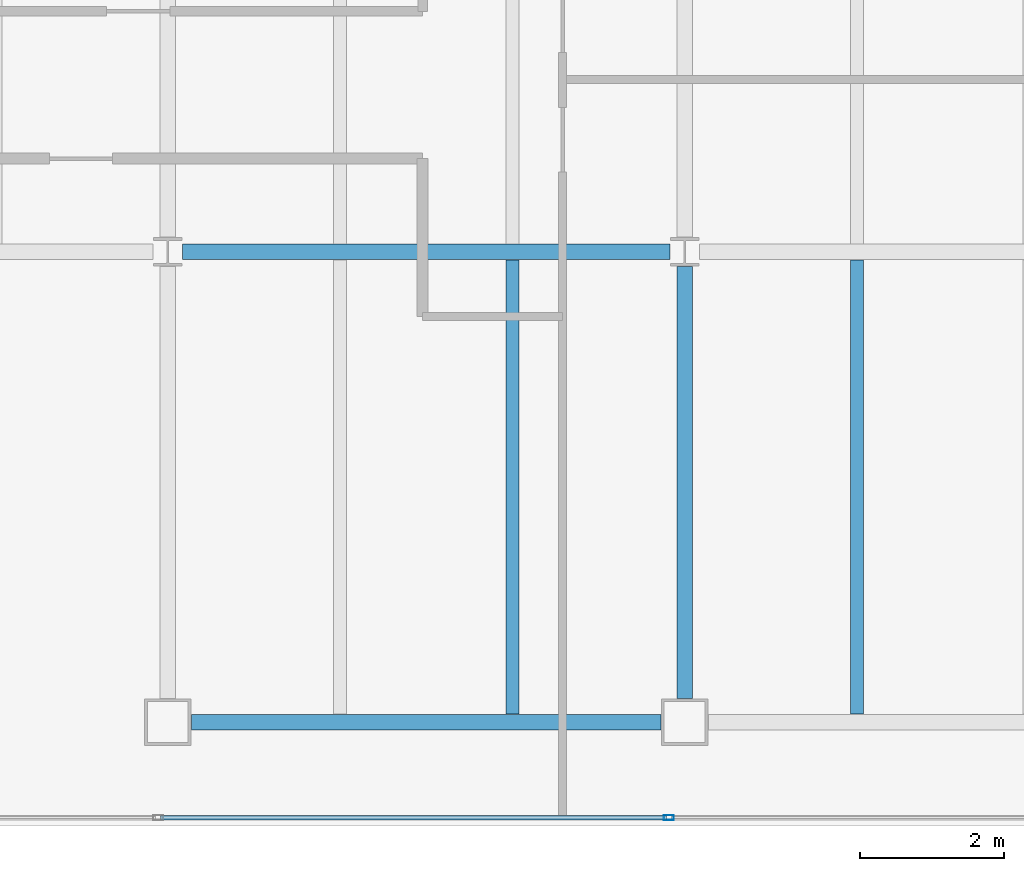
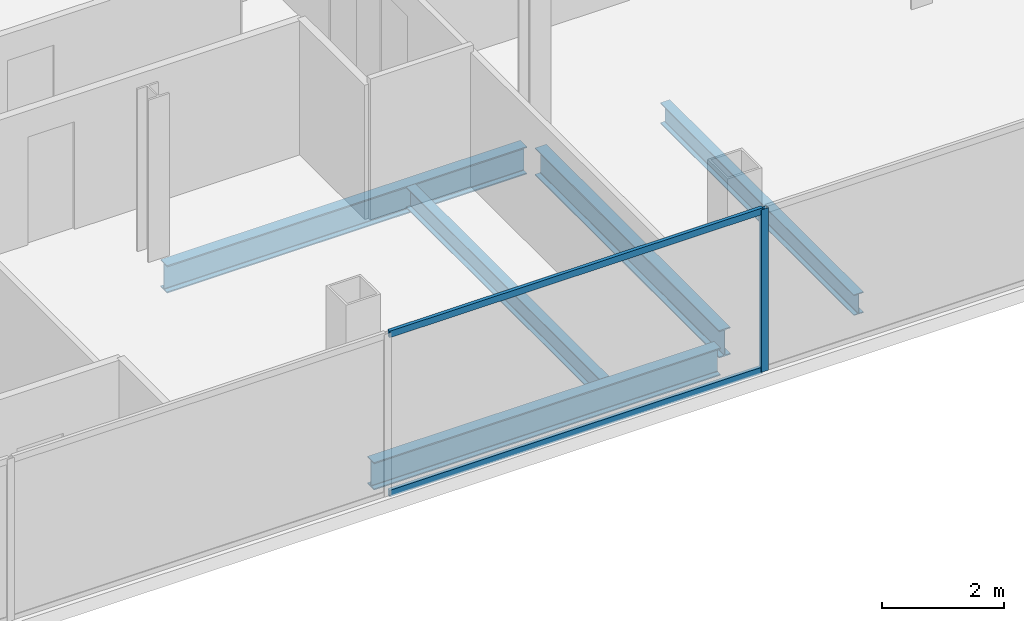
# One storey, part 6 of 23: 5 beams, 3 members, 1 element without a shape of its own.
"""IFC4 building model written with IfcOpenShell, lengths in metres."""

from ifc_helpers import new_model, si_unit, direction, frame, origin, origin_2d, place, context, subcontext, project, spatial, hollow_rectangle, i_section, extrude, material, material_profile, profile_set, type_object, element, aggregate, save


model = new_model("IFC4")

# Units and contexts
model_context = context("Model", 3, precision=1e-05, world=origin(), true_north=direction((0.0, 1.0)))
body_context = subcontext(model_context, "Body", "Model", "MODEL_VIEW")
ifc_project = project(units=[si_unit("LENGTHUNIT", "METRE"), si_unit("AREAUNIT", "SQUARE_METRE"), si_unit("VOLUMEUNIT", "CUBIC_METRE"), si_unit("PLANEANGLEUNIT", "RADIAN"), si_unit("MASSUNIT", "GRAM", prefix="KILO")], contexts=[model_context])

# Site, building, storey
site_placement = place(None, origin())
site = spatial("IfcSite", under=ifc_project, at=site_placement, CompositionType="ELEMENT")
building_placement = place(site_placement, origin())
building = spatial("IfcBuilding", under=site, at=building_placement, Name="Cobrela Telecom Tower", CompositionType="ELEMENT")
storey_placement = place(building_placement, frame((0.0, 0.0, 283.14990234375)))
storey = spatial("IfcBuildingStorey", under=building, at=storey_placement, Name="L74", CompositionType="ELEMENT", Elevation=283.14990234375)

# Beams
ifc_material_1 = material(Name="Steel ASTM A992 Grade 50", Category="steel")
ifc_material_profile_1 = material_profile(ifc_material_1, i_section(OverallWidth=0.212890625, OverallDepth=0.549072265625, WebThickness=0.0146484375, FlangeThickness=0.023681640625, FilletRadius=0.013916015625, at=origin_2d()), Name="W21X93")
ifc_profile_set_1 = profile_set([ifc_material_profile_1], Name="Steel ASTM A992 Grade 50")
beam_type_1 = type_object("IfcBeamType", Name="BM-GIRD-08", PredefinedType="USERDEFINED", material=ifc_profile_set_1)
beam_1_placement = place(storey_placement, frame((21.929931640625, 7.85009765625, -0.534423828125), z_axis=(1.0, 0.0, 0.0), x_axis=(0.0, 1.0, 0.0)))
element("IfcBeam", 1, at=beam_1_placement, inside=storey, type_object=beam_type_1, Name="L74 Primary Girder X03", ObjectType="GIRDER", PredefinedType="USERDEFINED", context=body_context, shape_type="SweptSolid", body=[
    extrude(i_section(OverallWidth=0.212890625, OverallDepth=0.549072265625, WebThickness=0.0146484375, FlangeThickness=0.023681640625, FilletRadius=0.013916015625, at=origin_2d()), origin(), (0.0, 0.0, 1.0), 6.5400390625),
])
beam_2_placement = place(storey_placement, frame((21.804443359375, 14.39990234375, -0.534423828125), z_axis=(1.0, 0.0, 0.0), x_axis=(0.0, 1.0, 0.0)))
element("IfcBeam", 2, at=beam_2_placement, inside=storey, type_object=beam_type_1, Name="L74 Primary Girder X06", ObjectType="GIRDER", PredefinedType="USERDEFINED", context=body_context, shape_type="SweptSolid", body=[
    extrude(i_section(OverallWidth=0.212890625, OverallDepth=0.549072265625, WebThickness=0.0146484375, FlangeThickness=0.023681640625, FilletRadius=0.013916015625, at=origin_2d()), origin(), (0.0, 0.0, 1.0), 6.791015625),
])
beam_3_placement = place(storey_placement, frame((28.800048828125, 8.179931640625, -0.534423828125), z_axis=(0.0, 1.0, 0.0), x_axis=(-1.0, 0.0, 0.0)))
element("IfcBeam", 3, at=beam_3_placement, inside=storey, type_object=beam_type_1, Name="L74 Primary Girder Y29", ObjectType="GIRDER", PredefinedType="USERDEFINED", context=body_context, shape_type="SweptSolid", body=[
    extrude(i_section(OverallWidth=0.212890625, OverallDepth=0.549072265625, WebThickness=0.0146484375, FlangeThickness=0.023681640625, FilletRadius=0.013916015625, at=origin_2d()), origin(), (0.0, 0.0, 1.0), 6.015625),
])
ifc_material_profile_2 = material_profile(ifc_material_1, i_section(OverallWidth=0.179931640625, OverallDepth=0.4169921875, WebThickness=0.010986328125, FlangeThickness=0.01806640625, FilletRadius=0.011962890625, at=origin_2d()), Name="W16X57")
ifc_profile_set_2 = profile_set([ifc_material_profile_2], Name="Steel ASTM A992 Grade 50")
beam_type_2 = type_object("IfcBeamType", Name="BM-JOIST-04", PredefinedType="JOIST", material=ifc_profile_set_2)
for number, where, z_axis, x_axis, name in (
    (4, (26.39990234375, 7.96142578125, -0.468505859375), (0.0, 1.0, 0.0), (-1.0, 0.0, 0.0), "L74 Secondary Composite Floor Beam J09"),
    (5, (31.199951171875, 7.96142578125, -0.468505859375), (0.0, 1.0, 0.0), (-1.0, 0.0, 0.0), "L74 Secondary Composite Floor Beam J11"),
):
    element("IfcBeam", number, at=place(storey_placement, frame(where, z_axis=z_axis, x_axis=x_axis)), inside=storey, type_object=beam_type_2, Name=name, PredefinedType="JOIST", context=body_context, shape_type="SweptSolid", body=[
        extrude(i_section(OverallWidth=0.179931640625, OverallDepth=0.4169921875, WebThickness=0.010986328125, FlangeThickness=0.01806640625, FilletRadius=0.011962890625, at=origin_2d()), origin(), (0.0, 0.0, 1.0), 6.3271484375),
    ])

# Curtain wall, members
ifc_material_2 = material(Name="Anodized Bronze Aluminium 6063-T6", Category="aluminium")
curtain_wall_type = type_object("IfcCurtainWallType", Name="CW-SYS-OFF-HI", PredefinedType="USERDEFINED", material=ifc_material_2)
curtain_wall_placement = place(storey_placement, origin())
curtain_wall = element("IfcCurtainWall", 6, at=curtain_wall_placement, inside=storey, type_object=curtain_wall_type, Name="L74 Unitised Bronze Curtain Wall 15", ObjectType="UNITISED CURTAIN WALL", PredefinedType="USERDEFINED")
ifc_material_profile_3 = material_profile(ifc_material_2, hollow_rectangle(XDim=0.070068359375, YDim=0.139892578125, WallThickness=0.00390625, at=origin_2d()), Name="ALU 70x140x4")
ifc_profile_set_3 = profile_set([ifc_material_profile_3], Name="Anodized Bronze Aluminium 6063-T6")
member_type_1 = type_object("IfcMemberType", Name="CW-SYS-OFF-HI-MUL", PredefinedType="MULLION", material=ifc_profile_set_3)
member_1_placement = place(storey_placement, frame((28.580078125, 6.52001953125, 0.0), z_axis=(0.0, 0.0, 1.0), x_axis=(0.0, -1.0, 0.0)))
member_1 = element("IfcMember", 7, at=member_1_placement, type_object=member_type_1, Name="CW-OFF-HI mullion 3", PredefinedType="MULLION", context=body_context, shape_type="SweptSolid", body=[
    extrude(hollow_rectangle(XDim=0.070068359375, YDim=0.139892578125, WallThickness=0.00390625, at=origin_2d()), origin(), (0.0, 0.0, 1.0), 3.239990234375),
])
ifc_material_profile_4 = material_profile(ifc_material_2, hollow_rectangle(XDim=0.06494140625, YDim=0.1298828125, WallThickness=0.00390625, at=origin_2d()), Name="ALU 65x130x4")
ifc_profile_set_4 = profile_set([ifc_material_profile_4], Name="Anodized Bronze Aluminium 6063-T6")
member_type_2 = type_object("IfcMemberType", Name="CW-SYS-OFF-HI-TRN", PredefinedType="USERDEFINED", material=ifc_profile_set_4)
member_2_placement = place(storey_placement, frame((28.544921875, 6.52001953125, 0.03271484375), z_axis=(-1.0, 0.0, 0.0), x_axis=(0.0, -1.0, 0.0)))
member_2 = element("IfcMember", 8, at=member_2_placement, type_object=member_type_2, Name="CW-OFF-HI transom 3.1", ObjectType="TRANSOM", PredefinedType="USERDEFINED", context=body_context, shape_type="SweptSolid", body=[
    extrude(hollow_rectangle(XDim=0.06494140625, YDim=0.1298828125, WallThickness=0.00390625, at=origin_2d()), origin(), (0.0, 0.0, 1.0), 7.044921875),
])
member_3_placement = place(storey_placement, frame((28.544921875, 6.52001953125, 3.20751953125), z_axis=(-1.0, 0.0, 0.0), x_axis=(0.0, -1.0, 0.0)))
member_3 = element("IfcMember", 9, at=member_3_placement, type_object=member_type_2, Name="CW-OFF-HI transom 3.2", ObjectType="TRANSOM", PredefinedType="USERDEFINED", context=body_context, shape_type="SweptSolid", body=[
    extrude(hollow_rectangle(XDim=0.06494140625, YDim=0.1298828125, WallThickness=0.00390625, at=origin_2d()), origin(), (0.0, 0.0, 1.0), 7.044921875),
])
aggregate(curtain_wall, [member_1, member_2, member_3])

save(model, "model.ifc")
